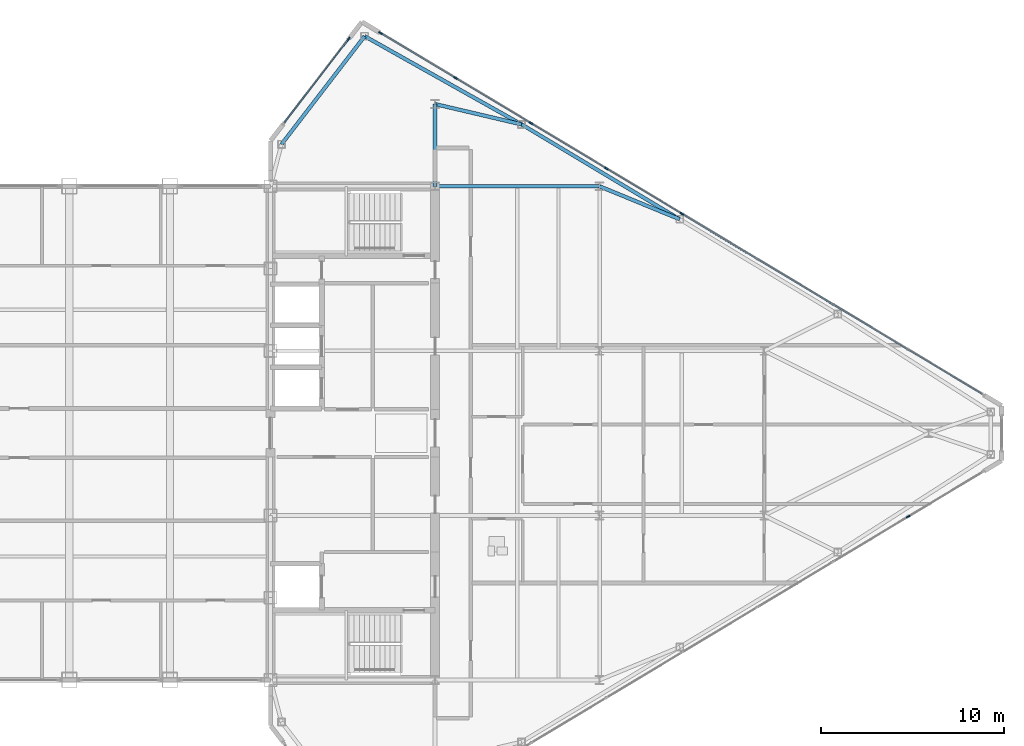
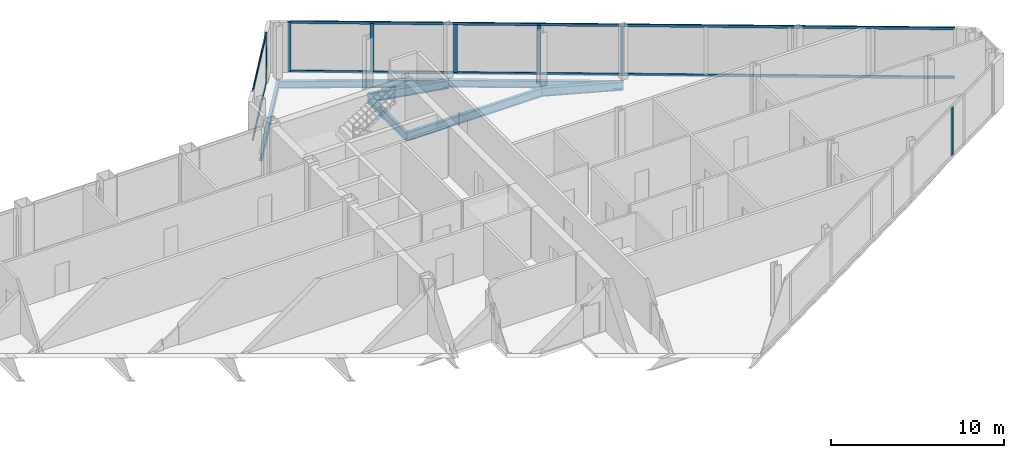
# One storey, part 17 of 29: 11 members, 7 beams, 3 elements without a shape of their own.
"""IFC4 building model written with IfcOpenShell, lengths in metres."""

import ifcopenshell
import ifcopenshell.guid

model = None  # the IFC model being written
_history = None  # IfcOwnerHistory: only IFC2X3 demands one
_inside = {}  # id of a spatial element -> (the spatial element, [elements in it])
_under = {}  # id of a project, library or spatial element -> (it, [spatial elements below it])
_declared = {}  # id of a project -> (the project, [libraries it declares])
_typed = {}  # id of a type object -> (the type object, [elements of that type])
_made_of = {}  # id of a material, layer set ... -> (it, [elements and type objects made of it])


def new_model(schema):
    """Start an empty IFC model of exactly this schema.

    Asked for "IFC4X3", IfcOpenShell would pick the latest addendum, in which some entities
    have other attributes; the version numbers below select the first issue.
    IFC2X3 requires an IfcOwnerHistory on every rooted entity: one is made here for all.
    """
    global model, _history
    if schema == "IFC4X3":
        model = ifcopenshell.file(schema_version=(4, 3, 0, 0))
    else:
        model = ifcopenshell.file(schema=schema)
    _inside.clear()
    _under.clear()
    _declared.clear()
    _typed.clear()
    _made_of.clear()
    _history = None
    if model.schema == "IFC2X3":
        org = make("IfcOrganization", Name="unknown")
        user = make(
            "IfcPersonAndOrganization",
            ThePerson=make("IfcPerson", FamilyName="unknown"),
            TheOrganization=org,
        )
        app = make(
            "IfcApplication",
            ApplicationDeveloper=org,
            Version="unknown",
            ApplicationFullName="unknown",
            ApplicationIdentifier="unknown",
        )
        _history = make(
            "IfcOwnerHistory",
            OwningUser=user,
            OwningApplication=app,
            ChangeAction="ADDED",
            CreationDate=0,
        )
    return model


def make(cls, **values):
    """One entity of the class cls with the attributes given. An attribute that is None is left unset."""
    return model.create_entity(
        cls, **{name: value for name, value in values.items() if value is not None}
    )


def rooted(cls, **values):
    """An entity with a GlobalId (a new one), such as an element, a storey or a relation."""
    return make(cls, GlobalId=ifcopenshell.guid.new(), OwnerHistory=_history, **values)


def si_unit(unit_type, name, prefix=None):
    """IfcSIUnit, for example si_unit("LENGTHUNIT", "METRE", prefix="MILLI")."""
    return make("IfcSIUnit", UnitType=unit_type, Prefix=prefix, Name=name)


def assignment(units):
    """IfcUnitAssignment: the units of a project."""
    return None if units is None else make("IfcUnitAssignment", Units=units)


def point(xyz):
    """IfcCartesianPoint."""
    return None if xyz is None else make("IfcCartesianPoint", Coordinates=xyz)


def direction(xyz):
    """IfcDirection."""
    return None if xyz is None else make("IfcDirection", DirectionRatios=xyz)


def frame(location, z_axis=None, x_axis=None):
    """IfcAxis2Placement3D, a coordinate frame: its origin and axes. An axis left out is left unset."""
    return make(
        "IfcAxis2Placement3D",
        Location=point(location),
        Axis=direction(z_axis),
        RefDirection=direction(x_axis),
    )


def frame_2d(location, x_axis=None):
    """IfcAxis2Placement2D, a coordinate frame in the plane: its origin and x axis."""
    return make(
        "IfcAxis2Placement2D", Location=point(location), RefDirection=direction(x_axis)
    )


def origin():
    """The frame at (0, 0, 0) with its axes left unset."""
    return frame((0.0, 0.0, 0.0))


def origin_2d():
    """The frame at (0, 0) in the plane with its x axis left unset."""
    return frame_2d((0.0, 0.0))


def place(relative_to, where):
    """IfcLocalPlacement: puts the frame where relative to a parent placement (None: the world)."""
    return make(
        "IfcLocalPlacement", PlacementRelTo=relative_to, RelativePlacement=where
    )


def context(
    kind, dimensions, precision=None, world=None, true_north=None, identifier=None
):
    """IfcGeometricRepresentationContext, for example the 3D "Model" context."""
    return make(
        "IfcGeometricRepresentationContext",
        ContextIdentifier=identifier,
        ContextType=kind,
        CoordinateSpaceDimension=dimensions,
        Precision=precision,
        WorldCoordinateSystem=world,
        TrueNorth=true_north,
    )


def subcontext(parent, identifier, kind, view, scale=None):
    """IfcGeometricRepresentationSubContext, for example "Body" below "Model"."""
    return make(
        "IfcGeometricRepresentationSubContext",
        ContextIdentifier=identifier,
        ContextType=kind,
        ParentContext=parent,
        TargetScale=scale,
        TargetView=view,
    )


def project(units=None, contexts=None):
    """IfcProject with its units and contexts."""
    return rooted(
        "IfcProject",
        Name="project",
        RepresentationContexts=contexts,
        UnitsInContext=assignment(units),
    )


def spatial(cls, under=None, at=None, **own):
    """A site, building, storey or space (cls), placed at a placement, below another one or the project."""
    s = rooted(cls, ObjectPlacement=at, **own)
    if under is not None:
        _under.setdefault(under.id(), (under, []))[1].append(s)
    return s


def profile(cls, at=None, kind="AREA", **sizes):
    """A parametric profile (cls). Its sizes go by their IFC names, for example OverallWidth=200.0."""
    return make(cls, ProfileType=kind, Position=at, **sizes)


def rectangle(**sizes):
    """IfcRectangleProfileDef."""
    return profile("IfcRectangleProfileDef", **sizes)


def i_section(**sizes):
    """IfcIShapeProfileDef."""
    return profile("IfcIShapeProfileDef", **sizes)


def extrude(swept, where, along, depth):
    """IfcExtrudedAreaSolid: the profile swept, set in the frame where, extruded along a direction by depth."""
    return make(
        "IfcExtrudedAreaSolid",
        SweptArea=swept,
        Position=where,
        ExtrudedDirection=direction(along),
        Depth=depth,
    )


def shape(context_of_items, identifier, shape_type, items):
    """IfcShapeRepresentation: the items that make up one representation, for example the "Body"."""
    return make(
        "IfcShapeRepresentation",
        ContextOfItems=context_of_items,
        RepresentationIdentifier=identifier,
        RepresentationType=shape_type,
        Items=items,
    )


def source(mapping_origin, context_of_items, identifier, shape_type, items):
    """IfcRepresentationMap: a shape defined once, which mapped items show again and again."""
    return make(
        "IfcRepresentationMap",
        MappingOrigin=mapping_origin,
        MappedRepresentation=shape(context_of_items, identifier, shape_type, items),
    )


def transform(
    local_origin,
    x_axis=None,
    y_axis=None,
    z_axis=None,
    scale=None,
    scale2=None,
    scale3=None,
    uniform=True,
):
    """IfcCartesianTransformationOperator3D, or its non-uniform kind. x_axis, y_axis, z_axis: its Axis1, 2, 3."""
    if uniform:
        return make(
            "IfcCartesianTransformationOperator3D",
            Axis1=direction(x_axis),
            Axis2=direction(y_axis),
            LocalOrigin=point(local_origin),
            Scale=scale,
            Axis3=direction(z_axis),
        )
    return make(
        "IfcCartesianTransformationOperator3DnonUniform",
        Axis1=direction(x_axis),
        Axis2=direction(y_axis),
        LocalOrigin=point(local_origin),
        Scale=scale,
        Axis3=direction(z_axis),
        Scale2=scale2,
        Scale3=scale3,
    )


def mapped(mapping_source, mapping_target):
    """IfcMappedItem: shows the shape of a source again, moved by a transform."""
    return make(
        "IfcMappedItem", MappingSource=mapping_source, MappingTarget=mapping_target
    )


def material(Name=None, Category=None):
    """IfcMaterial."""
    return make("IfcMaterial", Name=Name, Category=Category)


def layer(
    of_material, thickness, ventilated=None, Name=None, Category=None, Priority=None
):
    """IfcMaterialLayer: one layer of a wall or slab, of a material (None: an air gap)."""
    return make(
        "IfcMaterialLayer",
        Material=of_material,
        LayerThickness=thickness,
        IsVentilated=ventilated,
        Name=Name,
        Category=Category,
        Priority=Priority,
    )


def layer_set(layers, Name=None):
    """IfcMaterialLayerSet."""
    return make("IfcMaterialLayerSet", MaterialLayers=layers, LayerSetName=Name)


def material_profile(
    of_material, cross_section, Name=None, Category=None, Priority=None
):
    """IfcMaterialProfile: a cross section and its material."""
    return make(
        "IfcMaterialProfile",
        Name=Name,
        Material=of_material,
        Profile=cross_section,
        Priority=Priority,
        Category=Category,
    )


def profile_set(profiles, Name=None, composite=None):
    """IfcMaterialProfileSet."""
    return make(
        "IfcMaterialProfileSet",
        Name=Name,
        MaterialProfiles=profiles,
        CompositeProfile=composite,
    )


def made_of(thing, what):
    """Note that an element or type object is made of a material, layer set ...; save() writes the relation."""
    if what is not None:
        _made_of.setdefault(what.id(), (what, []))[1].append(thing)
    return thing


def type_object(cls, material=None, **own):
    """A type object (cls), such as IfcWallType, which elements share."""
    return made_of(rooted(cls, **own), material)


def type_shapes(of_type, sources):
    """Give a type object the sources (RepresentationMaps) that its elements show as mapped items."""
    of_type.RepresentationMaps = sources


def element(
    cls,
    number,
    at=None,
    inside=None,
    cuts=None,
    type_object=None,
    material=None,
    context=None,
    identifier="Body",
    shape_type=None,
    held_by="IfcProductDefinitionShape",
    body=None,
    shapes=None,
    **own,
):
    """One element of the class cls, such as IfcWall. Its Tag is "e" and its number.

    at: its placement. inside: the storey or other place that contains it. cuts: it is an
    opening in that element (IfcRelVoidsElement). A single representation is given by context,
    identifier, shape_type and body (its items); several are given by shapes. held_by: the class
    of the entity that holds the representations. save() writes the other relations.
    """
    e = rooted(cls, Tag="e%d" % number, ObjectPlacement=at, **own)
    if body is not None:
        shapes = [shape(context, identifier, shape_type, body)]
    if shapes is not None:
        e.Representation = make(held_by, Representations=shapes)
    if inside is not None:
        _inside.setdefault(inside.id(), (inside, []))[1].append(e)
    if cuts is not None:
        rooted(
            "IfcRelVoidsElement", RelatingBuildingElement=cuts, RelatedOpeningElement=e
        )
    if type_object is not None:
        _typed.setdefault(type_object.id(), (type_object, []))[1].append(e)
    return made_of(e, material)


def aggregate(whole, parts):
    """IfcRelAggregates: a whole, such as a stair, and the parts it consists of."""
    return rooted("IfcRelAggregates", RelatingObject=whole, RelatedObjects=parts)


def save(model, path):
    """Write the relations noted so far, then the file.

    IfcRelAggregates (storeys below a building ...), IfcRelContainedInSpatialStructure (elements
    in a storey), IfcRelDefinesByType, IfcRelAssociatesMaterial and IfcRelDeclares: one each for
    every whole, place, type object, material and project.
    """
    for whole, parts in _under.values():
        aggregate(whole, parts)
    for where, things in _inside.values():
        rooted(
            "IfcRelContainedInSpatialStructure",
            RelatedElements=things,
            RelatingStructure=where,
        )
    for kind, things in _typed.values():
        rooted("IfcRelDefinesByType", RelatedObjects=things, RelatingType=kind)
    for what, things in _made_of.values():
        rooted("IfcRelAssociatesMaterial", RelatedObjects=things, RelatingMaterial=what)
    for by, libraries in _declared.values():
        rooted("IfcRelDeclares", RelatingContext=by, RelatedDefinitions=libraries)
    model.write(path)


model = new_model("IFC4")

# Units and contexts
model_context = context("Model", 3, precision=1e-05, world=origin(), true_north=direction((0.0, 1.0)))
body_context = subcontext(model_context, "Body", "Model", "MODEL_VIEW")
ifc_project = project(units=[si_unit("LENGTHUNIT", "METRE"), si_unit("AREAUNIT", "SQUARE_METRE"), si_unit("VOLUMEUNIT", "CUBIC_METRE"), si_unit("PLANEANGLEUNIT", "RADIAN"), si_unit("MASSUNIT", "GRAM", prefix="KILO")], contexts=[model_context])

# Site, building, storey
site_placement = place(None, origin())
site = spatial("IfcSite", under=ifc_project, at=site_placement, CompositionType="ELEMENT")
building_placement = place(site_placement, origin())
building = spatial("IfcBuilding", under=site, at=building_placement, Name="Seokmaru Belvedere", CompositionType="ELEMENT")
storey_placement = place(building_placement, frame((0.0, 0.0, 250.64990234375)))
storey = spatial("IfcBuildingStorey", under=building, at=storey_placement, Name="L66", CompositionType="ELEMENT", Elevation=250.64990234375)

# Beams
ifc_material_1 = material(Name="Steel SM355 (355 MPa)", Category="steel")
ifc_material_profile_1 = material_profile(ifc_material_1, i_section(OverallWidth=0.199951171875, OverallDepth=0.60009765625, WebThickness=0.010986328125, FlangeThickness=0.01708984375, at=origin_2d()), Name="H-600x200x11x17")
ifc_profile_set_1 = profile_set([ifc_material_profile_1], Name="Steel SM355 (355 MPa)")
beam_type_1 = type_object("IfcBeamType", Name="Primary Floor Girder H-600", PredefinedType="BEAM", material=ifc_profile_set_1)
shared_shape_1 = source(origin(), body_context, "Body", "SweptSolid", [
    extrude(i_section(OverallWidth=0.199951171875, OverallDepth=0.60009765625, WebThickness=0.010986328125, FlangeThickness=0.01708984375, at=origin_2d()), origin(), (0.0, 0.0, 1.0), 9.0),
])
beam_1_placement = place(storey_placement, frame((36.5, 13.5, -0.52001953125), z_axis=(1.0, 0.0, 0.0), x_axis=(0.0, 1.0, 0.0)))
element("IfcBeam", 1, at=beam_1_placement, inside=storey, type_object=beam_type_1, Name="L66 E Wing Primary Girder 4", PredefinedType="BEAM", context=body_context, shape_type="MappedRepresentation", body=[
    mapped(shared_shape_1, transform((0.0, 0.0, 0.0), scale=1.0)),
])
shared_shape_2 = source(origin(), body_context, "Body", "SweptSolid", [
    extrude(i_section(OverallWidth=0.199951171875, OverallDepth=0.60009765625, WebThickness=0.010986328125, FlangeThickness=0.01708984375, at=origin_2d()), origin(), (0.0, 0.0, 1.0), 4.5),
])
beam_2_placement = place(storey_placement, frame((36.5, 13.5, -0.52001953125), z_axis=(0.0, 1.0, 0.0), x_axis=(-1.0, 0.0, 0.0)))
element("IfcBeam", 2, at=beam_2_placement, inside=storey, type_object=beam_type_1, Name="L66 E Core Shoulder Girder N", PredefinedType="BEAM", context=body_context, shape_type="MappedRepresentation", body=[
    mapped(shared_shape_2, transform((0.0, 0.0, 0.0), scale=1.0)),
])
ifc_material_profile_2 = material_profile(ifc_material_1, i_section(OverallWidth=0.199951171875, OverallDepth=0.5, WebThickness=0.010009765625, FlangeThickness=0.01611328125, at=origin_2d()), Name="H-500x200x10x16")
ifc_profile_set_2 = profile_set([ifc_material_profile_2], Name="Steel SM355 (355 MPa)")
beam_type_2 = type_object("IfcBeamType", Name="Perimeter Spandrel Beam H-500", PredefinedType="SPANDREL", material=ifc_profile_set_2)
shared_shape_3 = source(origin(), body_context, "Body", "SweptSolid", [
    extrude(i_section(OverallWidth=0.199951171875, OverallDepth=0.5, WebThickness=0.010009765625, FlangeThickness=0.01611328125, at=origin_2d()), origin(), (0.0, 0.0, 1.0), 9.842041015625),
])
beam_3_placement = place(storey_placement, frame((32.649658203125, 21.71044921875, -0.469970703125), z_axis=(0.871782151818, -0.489893743349, 0.0), x_axis=(0.489893743349, 0.871782151818, 0.0)))
element("IfcBeam", 3, at=beam_3_placement, inside=storey, type_object=beam_type_2, Name="L66 E Faceted Flank Spandrel N-1", PredefinedType="SPANDREL", context=body_context, shape_type="MappedRepresentation", body=[
    mapped(shared_shape_3, transform((0.0, 0.0, 0.0), scale=1.0)),
])
shared_shape_4 = source(origin(), body_context, "Body", "SweptSolid", [
    extrude(i_section(OverallWidth=0.199951171875, OverallDepth=0.5, WebThickness=0.010009765625, FlangeThickness=0.01611328125, at=origin_2d()), origin(), (0.0, 0.0, 1.0), 10.087646484375),
])
beam_4_placement = place(storey_placement, frame((41.229736328125, 16.888916015625, -0.469970703125), z_axis=(0.857499332045, -0.514485078056, 0.0), x_axis=(0.514485078056, 0.857499332045, 0.0)))
element("IfcBeam", 4, at=beam_4_placement, inside=storey, type_object=beam_type_2, Name="L66 E Faceted Flank Spandrel N-2", PredefinedType="SPANDREL", context=body_context, shape_type="MappedRepresentation", body=[
    mapped(shared_shape_4, transform((0.0, 0.0, 0.0), scale=1.0)),
])
shared_shape_5 = source(origin(), body_context, "Body", "SweptSolid", [
    extrude(i_section(OverallWidth=0.199951171875, OverallDepth=0.5, WebThickness=0.010009765625, FlangeThickness=0.01611328125, at=origin_2d()), origin(), (0.0, 0.0, 1.0), 7.4619140625),
])
type_shapes(beam_type_2, [shared_shape_3, shared_shape_4, shared_shape_5])
beam_5_placement = place(storey_placement, frame((32.649658203125, 21.71044921875, -0.469970703125), z_axis=(-0.609702854945, -0.792630070507, 0.0), x_axis=(0.792630070507, -0.609702854945, 0.0)))
element("IfcBeam", 5, at=beam_5_placement, inside=storey, type_object=beam_type_2, Name="L66 E Shoulder Chamfer Spandrel N", PredefinedType="SPANDREL", context=body_context, shape_type="MappedRepresentation", body=[
    mapped(shared_shape_5, transform((0.0, 0.0, 0.0), scale=1.0)),
])
shared_shape_6 = source(origin(), body_context, "Body", "SweptSolid", [
    extrude(i_section(OverallWidth=0.199951171875, OverallDepth=0.60009765625, WebThickness=0.010986328125, FlangeThickness=0.01708984375, at=origin_2d()), origin(), (0.0, 0.0, 1.0), 4.8583984375),
])
beam_6_placement = place(storey_placement, frame((41.229736328125, 16.888916015625, -0.52001953125), z_axis=(-0.97349948295, 0.228689214211, 0.0), x_axis=(-0.228689214211, -0.97349948295, 0.0)))
element("IfcBeam", 6, at=beam_6_placement, inside=storey, type_object=beam_type_1, Name="L66 E Flank Radial Floor Girder N-1", PredefinedType="BEAM", context=body_context, shape_type="MappedRepresentation", body=[
    mapped(shared_shape_6, transform((0.0, 0.0, 0.0), scale=1.0)),
])
shared_shape_7 = source(origin(), body_context, "Body", "SweptSolid", [
    extrude(i_section(OverallWidth=0.199951171875, OverallDepth=0.60009765625, WebThickness=0.010986328125, FlangeThickness=0.01708984375, at=origin_2d()), origin(), (0.0, 0.0, 1.0), 4.73583984375),
])
type_shapes(beam_type_1, [shared_shape_1, shared_shape_2, shared_shape_6, shared_shape_7])
beam_7_placement = place(storey_placement, frame((49.8798828125, 11.698974609375, -0.52001953125), z_axis=(-0.924860562953, 0.380306375301, 0.0), x_axis=(-0.380306375301, -0.924860562953, 0.0)))
element("IfcBeam", 7, at=beam_7_placement, inside=storey, type_object=beam_type_1, Name="L66 E Flank Radial Floor Girder N-2", PredefinedType="BEAM", context=body_context, shape_type="MappedRepresentation", body=[
    mapped(shared_shape_7, transform((0.0, 0.0, 0.0), scale=1.0)),
])

# Curtain wall, members
ifc_material_2 = material(Name="Bronze Triple Insulating Glass", Category="glass")
ifc_layer = layer(ifc_material_2, 0.219970703125)
ifc_layer_set = layer_set([ifc_layer], Name="Bronze Triple Insulating Glass")
curtain_wall_type = type_object("IfcCurtainWallType", Name="Sky-Gate Bridge Panorama Curtain Wall System CW-6", PredefinedType="NOTDEFINED", material=ifc_layer_set)
curtain_wall_1_placement = place(storey_placement, origin())
curtain_wall_1 = element("IfcCurtainWall", 8, at=curtain_wall_1_placement, inside=storey, type_object=curtain_wall_type, Name="L66 Curtain Wall EF4", PredefinedType="NOTDEFINED")
ifc_material_3 = material(Name="Anodised Bronze Aluminium", Category="aluminium")
ifc_material_profile_3 = material_profile(ifc_material_3, rectangle(XDim=0.074951171875, YDim=0.179931640625, at=origin_2d()), Name="CW-T-75x180")
ifc_profile_set_3 = profile_set([ifc_material_profile_3], Name="Anodised Bronze Aluminium")
member_type_1 = type_object("IfcMemberType", Name="Bronze Unitised Transom 75x180", PredefinedType="USERDEFINED", material=ifc_profile_set_3)
shared_shape_8 = source(origin(), body_context, "Body", "SweptSolid", [
    extrude(rectangle(XDim=0.074951171875, YDim=0.179931640625, at=origin_2d()), origin(), (0.0, 0.0, 1.0), 5.74072265625),
])
member_1_placement = place(storey_placement, frame((31.75, 21.525146484375, 0.03759765625), z_axis=(-0.609686097287, -0.792642960465, 0.0), x_axis=(0.792642960465, -0.609686097287, 0.0)))
member_1 = element("IfcMember", 9, at=member_1_placement, type_object=member_type_1, Name="CW:L66:EF4 Continuous Transom 1", ObjectType="TRANSOM", PredefinedType="USERDEFINED", context=body_context, shape_type="MappedRepresentation", body=[
    mapped(shared_shape_8, transform((0.0, 0.0, 0.0), scale=1.0)),
])
member_2_placement = place(storey_placement, frame((31.75, 21.525146484375, 3.49267578125), z_axis=(-0.609686097287, -0.792642960465, 0.0), x_axis=(0.792642960465, -0.609686097287, 0.0)))
member_2 = element("IfcMember", 10, at=member_2_placement, type_object=member_type_1, Name="CW:L66:EF4 Continuous Transom 2", ObjectType="TRANSOM", PredefinedType="USERDEFINED", context=body_context, shape_type="MappedRepresentation", body=[
    mapped(shared_shape_8, transform((0.0, 0.0, 0.0), scale=1.0)),
])

curtain_wall_2_placement = place(storey_placement, origin())
curtain_wall_2 = element("IfcCurtainWall", 11, at=curtain_wall_2_placement, inside=storey, type_object=curtain_wall_type, Name="L66 Curtain Wall EF3", PredefinedType="NOTDEFINED")
shared_shape_9 = source(origin(), body_context, "Body", "SweptSolid", [
    extrude(rectangle(XDim=0.074951171875, YDim=0.179931640625, at=origin_2d()), origin(), (0.0, 0.0, 1.0), 38.356689453125),
])
type_shapes(member_type_1, [shared_shape_8, shared_shape_9])
member_3_placement = place(storey_placement, frame((66.4453125, 2.1328125, 0.03759765625), z_axis=(-0.857492925713, 0.514495755428, 0.0), x_axis=(-0.514495755428, -0.857492925713, 0.0)))
member_3 = element("IfcMember", 12, at=member_3_placement, type_object=member_type_1, Name="CW:L66:EF3 Continuous Transom 1", ObjectType="TRANSOM", PredefinedType="USERDEFINED", context=body_context, shape_type="MappedRepresentation", body=[
    mapped(shared_shape_9, transform((0.0, 0.0, 0.0), scale=1.0)),
])
member_4_placement = place(storey_placement, frame((66.4453125, 2.1328125, 3.49267578125), z_axis=(-0.857492925713, 0.514495755428, 0.0), x_axis=(-0.514495755428, -0.857492925713, 0.0)))
member_4 = element("IfcMember", 13, at=member_4_placement, type_object=member_type_1, Name="CW:L66:EF3 Continuous Transom 2", ObjectType="TRANSOM", PredefinedType="USERDEFINED", context=body_context, shape_type="MappedRepresentation", body=[
    mapped(shared_shape_9, transform((0.0, 0.0, 0.0), scale=1.0)),
])
ifc_material_profile_4 = material_profile(ifc_material_3, rectangle(XDim=0.080078125, YDim=0.219970703125, at=origin_2d()), Name="CW-M-80x220")
ifc_profile_set_4 = profile_set([ifc_material_profile_4], Name="Anodised Bronze Aluminium")
member_type_2 = type_object("IfcMemberType", Name="Bronze Unitised Mullion 80x220", PredefinedType="MULLION", material=ifc_profile_set_4)
shared_shape_10 = source(origin(), body_context, "Body", "SweptSolid", [
    extrude(rectangle(XDim=0.080078125, YDim=0.219970703125, at=origin_2d()), origin(), (0.0, 0.0, 1.0), 3.530029296875),
])
member_5_placement = place(storey_placement, frame((33.5205078125, 21.8876953125, 0.0), z_axis=(0.0, 0.0, 1.0), x_axis=(-0.514494909364, -0.85749343335, 0.0)))
member_5 = element("IfcMember", 14, at=member_5_placement, type_object=member_type_2, Name="CW:L66:EF3 Mullion 9", PredefinedType="MULLION", context=body_context, shape_type="MappedRepresentation", body=[
    mapped(shared_shape_10, transform((0.0, 0.0, 0.0), scale=1.0)),
])

# Member
member_6_placement = place(storey_placement, frame((31.7744140625, 21.556884765625, 0.0), z_axis=(0.0, 0.0, 1.0), x_axis=(0.792631353244, -0.609701187349, 0.0)))
member_6 = element("IfcMember", 15, at=member_6_placement, type_object=member_type_2, Name="CW:L66:EF4 Mullion 1", PredefinedType="MULLION", context=body_context, shape_type="MappedRepresentation", body=[
    mapped(shared_shape_10, transform((0.0, 0.0, 0.0), scale=1.0)),
])

aggregate(curtain_wall_1, [member_6, member_1, member_2])

# Curtain wall, member
curtain_wall_3_placement = place(storey_placement, origin())
curtain_wall_3 = element("IfcCurtainWall", 16, at=curtain_wall_3_placement, inside=storey, type_object=curtain_wall_type, Name="L66 Curtain Wall EF1", PredefinedType="NOTDEFINED")
shared_shape_11 = source(origin(), body_context, "Body", "SweptSolid", [
    extrude(rectangle(XDim=0.080078125, YDim=0.219970703125, at=origin_2d()), origin(), (0.0, 0.0, 1.0), 3.3798828125),
])
type_shapes(member_type_2, [shared_shape_10, shared_shape_11])
member_7_placement = place(storey_placement, frame((62.385498046875, -4.56884765625, 0.0751953125), z_axis=(0.0, 0.0, 1.0), x_axis=(-0.514494909364, 0.85749343335, 0.0)))
member_7 = element("IfcMember", 17, at=member_7_placement, type_object=member_type_2, Name="CW:L66:EF1 Mullion 8", PredefinedType="MULLION", context=body_context, shape_type="MappedRepresentation", body=[
    mapped(shared_shape_11, transform((0.0, 0.0, 0.0), scale=1.0)),
])
aggregate(curtain_wall_3, [member_7])

# Member
member_8_placement = place(storey_placement, frame((50.0, 12.0, 0.0751953125), z_axis=(0.0, 0.0, 1.0), x_axis=(-0.514494909364, -0.85749343335, 0.0)))
member_8 = element("IfcMember", 18, at=member_8_placement, type_object=member_type_2, Name="CW:L66:EF3 Mullion 5", PredefinedType="MULLION", context=body_context, shape_type="MappedRepresentation", body=[
    mapped(shared_shape_11, transform((0.0, 0.0, 0.0), scale=1.0)),
])

member_9_placement = place(storey_placement, frame((45.87158203125, 14.47705078125, 0.0751953125), z_axis=(0.0, 0.0, 1.0), x_axis=(-0.514494909364, -0.85749343335, 0.0)))
member_9 = element("IfcMember", 19, at=member_9_placement, type_object=member_type_2, Name="CW:L66:EF3 Mullion 6", PredefinedType="MULLION", context=body_context, shape_type="MappedRepresentation", body=[
    mapped(shared_shape_11, transform((0.0, 0.0, 0.0), scale=1.0)),
])

member_10_placement = place(storey_placement, frame((41.742919921875, 16.9541015625, 0.0751953125), z_axis=(0.0, 0.0, 1.0), x_axis=(-0.514494909364, -0.85749343335, 0.0)))
member_10 = element("IfcMember", 20, at=member_10_placement, type_object=member_type_2, Name="CW:L66:EF3 Mullion 7", PredefinedType="MULLION", context=body_context, shape_type="MappedRepresentation", body=[
    mapped(shared_shape_11, transform((0.0, 0.0, 0.0), scale=1.0)),
])

member_11_placement = place(storey_placement, frame((37.614501953125, 19.43115234375, 0.0751953125), z_axis=(0.0, 0.0, 1.0), x_axis=(-0.514494909364, -0.85749343335, 0.0)))
member_11 = element("IfcMember", 21, at=member_11_placement, type_object=member_type_2, Name="CW:L66:EF3 Mullion 8", PredefinedType="MULLION", context=body_context, shape_type="MappedRepresentation", body=[
    mapped(shared_shape_11, transform((0.0, 0.0, 0.0), scale=1.0)),
])

aggregate(curtain_wall_2, [member_8, member_9, member_10, member_11, member_5, member_3, member_4])

save(model, "model.ifc")
